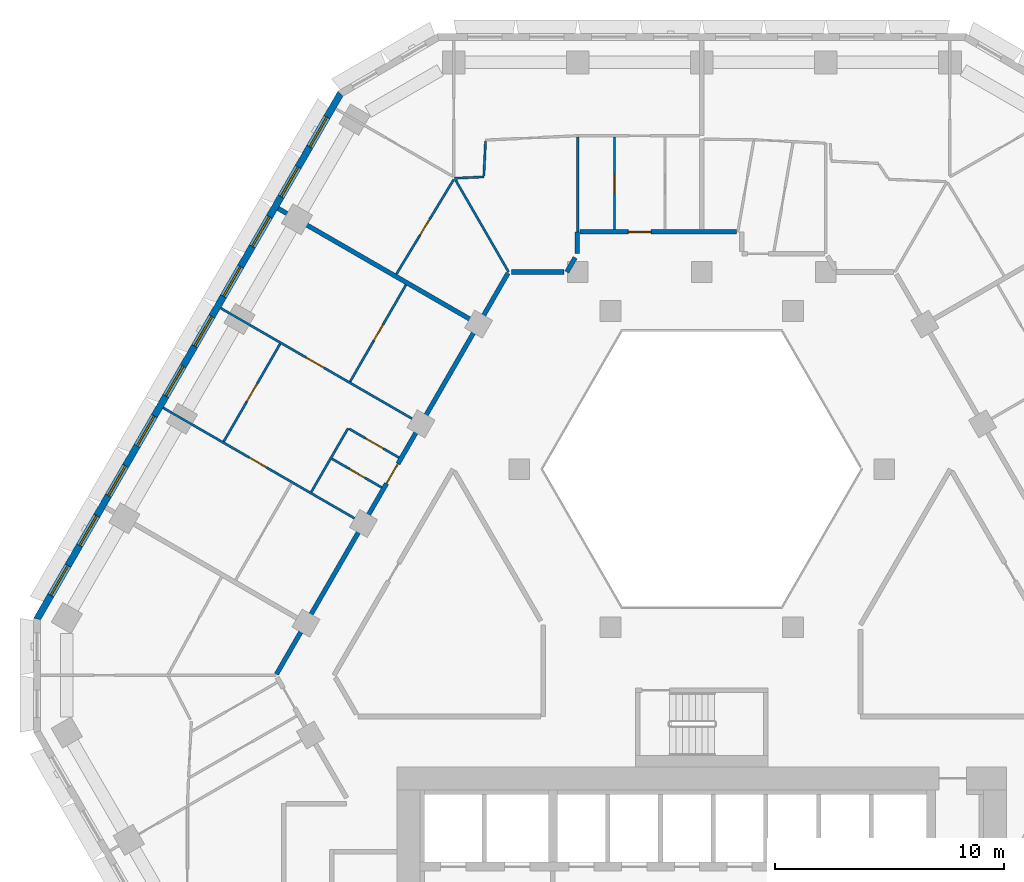
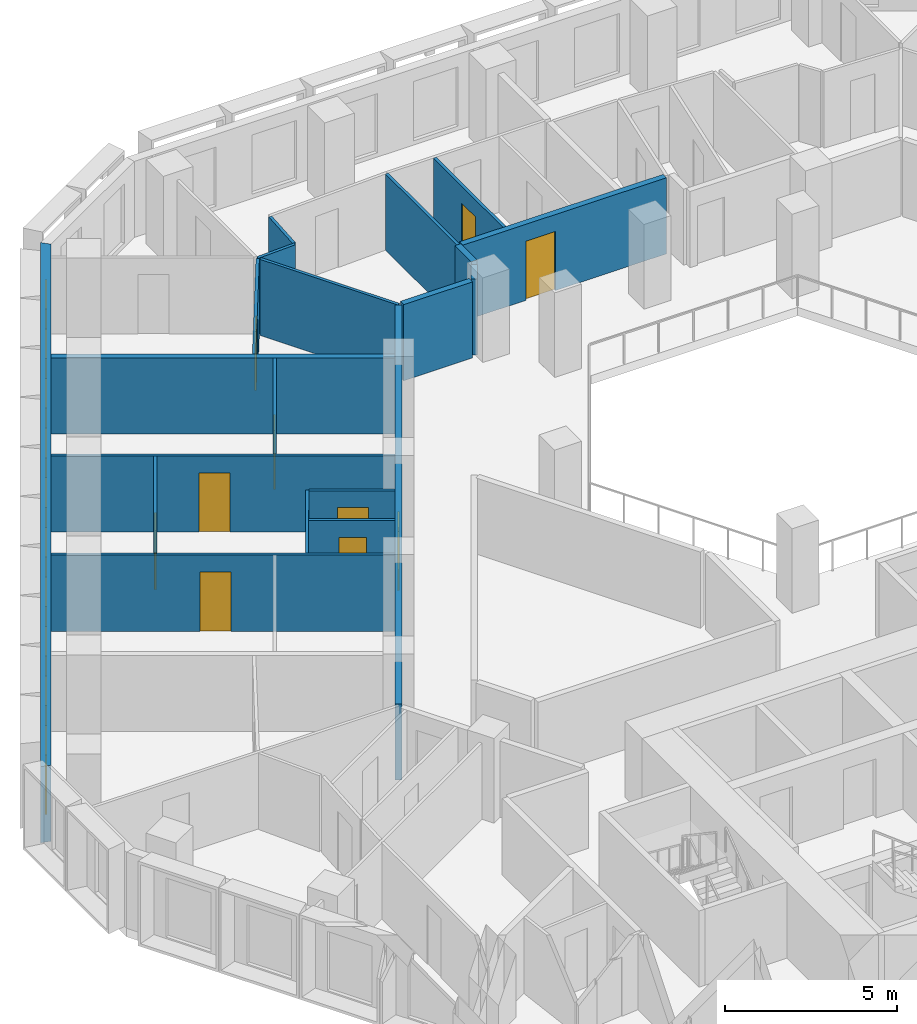
# One storey, part 8 of 18: 20 walls, 10 doors, 10 windows, 20 openings.
"""IFC4 building model written with IfcOpenShell, lengths in metres."""

import ifcopenshell
import ifcopenshell.guid

model = None  # the IFC model being written
_history = None  # IfcOwnerHistory: only IFC2X3 demands one
_inside = {}  # id of a spatial element -> (the spatial element, [elements in it])
_under = {}  # id of a project, library or spatial element -> (it, [spatial elements below it])
_declared = {}  # id of a project -> (the project, [libraries it declares])
_typed = {}  # id of a type object -> (the type object, [elements of that type])
_made_of = {}  # id of a material, layer set ... -> (it, [elements and type objects made of it])


def new_model(schema):
    """Start an empty IFC model of exactly this schema.

    Asked for "IFC4X3", IfcOpenShell would pick the latest addendum, in which some entities
    have other attributes; the version numbers below select the first issue.
    IFC2X3 requires an IfcOwnerHistory on every rooted entity: one is made here for all.
    """
    global model, _history
    if schema == "IFC4X3":
        model = ifcopenshell.file(schema_version=(4, 3, 0, 0))
    else:
        model = ifcopenshell.file(schema=schema)
    _inside.clear()
    _under.clear()
    _declared.clear()
    _typed.clear()
    _made_of.clear()
    _history = None
    if model.schema == "IFC2X3":
        org = make("IfcOrganization", Name="unknown")
        user = make(
            "IfcPersonAndOrganization",
            ThePerson=make("IfcPerson", FamilyName="unknown"),
            TheOrganization=org,
        )
        app = make(
            "IfcApplication",
            ApplicationDeveloper=org,
            Version="unknown",
            ApplicationFullName="unknown",
            ApplicationIdentifier="unknown",
        )
        _history = make(
            "IfcOwnerHistory",
            OwningUser=user,
            OwningApplication=app,
            ChangeAction="ADDED",
            CreationDate=0,
        )
    return model


def make(cls, **values):
    """One entity of the class cls with the attributes given. An attribute that is None is left unset."""
    return model.create_entity(
        cls, **{name: value for name, value in values.items() if value is not None}
    )


def rooted(cls, **values):
    """An entity with a GlobalId (a new one), such as an element, a storey or a relation."""
    return make(cls, GlobalId=ifcopenshell.guid.new(), OwnerHistory=_history, **values)


def si_unit(unit_type, name, prefix=None):
    """IfcSIUnit, for example si_unit("LENGTHUNIT", "METRE", prefix="MILLI")."""
    return make("IfcSIUnit", UnitType=unit_type, Prefix=prefix, Name=name)


def assignment(units):
    """IfcUnitAssignment: the units of a project."""
    return None if units is None else make("IfcUnitAssignment", Units=units)


def point(xyz):
    """IfcCartesianPoint."""
    return None if xyz is None else make("IfcCartesianPoint", Coordinates=xyz)


def direction(xyz):
    """IfcDirection."""
    return None if xyz is None else make("IfcDirection", DirectionRatios=xyz)


def frame(location, z_axis=None, x_axis=None):
    """IfcAxis2Placement3D, a coordinate frame: its origin and axes. An axis left out is left unset."""
    return make(
        "IfcAxis2Placement3D",
        Location=point(location),
        Axis=direction(z_axis),
        RefDirection=direction(x_axis),
    )


def frame_2d(location, x_axis=None):
    """IfcAxis2Placement2D, a coordinate frame in the plane: its origin and x axis."""
    return make(
        "IfcAxis2Placement2D", Location=point(location), RefDirection=direction(x_axis)
    )


def origin():
    """The frame at (0, 0, 0) with its axes left unset."""
    return frame((0.0, 0.0, 0.0))


def place(relative_to, where):
    """IfcLocalPlacement: puts the frame where relative to a parent placement (None: the world)."""
    return make(
        "IfcLocalPlacement", PlacementRelTo=relative_to, RelativePlacement=where
    )


def context(
    kind, dimensions, precision=None, world=None, true_north=None, identifier=None
):
    """IfcGeometricRepresentationContext, for example the 3D "Model" context."""
    return make(
        "IfcGeometricRepresentationContext",
        ContextIdentifier=identifier,
        ContextType=kind,
        CoordinateSpaceDimension=dimensions,
        Precision=precision,
        WorldCoordinateSystem=world,
        TrueNorth=true_north,
    )


def subcontext(parent, identifier, kind, view, scale=None):
    """IfcGeometricRepresentationSubContext, for example "Body" below "Model"."""
    return make(
        "IfcGeometricRepresentationSubContext",
        ContextIdentifier=identifier,
        ContextType=kind,
        ParentContext=parent,
        TargetScale=scale,
        TargetView=view,
    )


def project(units=None, contexts=None):
    """IfcProject with its units and contexts."""
    return rooted(
        "IfcProject",
        Name="project",
        RepresentationContexts=contexts,
        UnitsInContext=assignment(units),
    )


def spatial(cls, under=None, at=None, **own):
    """A site, building, storey or space (cls), placed at a placement, below another one or the project."""
    s = rooted(cls, ObjectPlacement=at, **own)
    if under is not None:
        _under.setdefault(under.id(), (under, []))[1].append(s)
    return s


def polyline(points):
    """IfcPolyline through the points."""
    return make("IfcPolyline", Points=[point(p) for p in points])


def profile(cls, at=None, kind="AREA", **sizes):
    """A parametric profile (cls). Its sizes go by their IFC names, for example OverallWidth=200.0."""
    return make(cls, ProfileType=kind, Position=at, **sizes)


def rectangle(**sizes):
    """IfcRectangleProfileDef."""
    return profile("IfcRectangleProfileDef", **sizes)


def outline(outer, holes=None, kind="AREA"):
    """IfcArbitraryClosedProfileDef: a profile drawn as a closed curve; with holes, ...WithVoids."""
    if holes is None:
        return make("IfcArbitraryClosedProfileDef", ProfileType=kind, OuterCurve=outer)
    return make(
        "IfcArbitraryProfileDefWithVoids",
        ProfileType=kind,
        OuterCurve=outer,
        InnerCurves=holes,
    )


def extrude(swept, where, along, depth):
    """IfcExtrudedAreaSolid: the profile swept, set in the frame where, extruded along a direction by depth."""
    return make(
        "IfcExtrudedAreaSolid",
        SweptArea=swept,
        Position=where,
        ExtrudedDirection=direction(along),
        Depth=depth,
    )


def shape(context_of_items, identifier, shape_type, items):
    """IfcShapeRepresentation: the items that make up one representation, for example the "Body"."""
    return make(
        "IfcShapeRepresentation",
        ContextOfItems=context_of_items,
        RepresentationIdentifier=identifier,
        RepresentationType=shape_type,
        Items=items,
    )


def material(Name=None, Category=None):
    """IfcMaterial."""
    return make("IfcMaterial", Name=Name, Category=Category)


def layer(
    of_material, thickness, ventilated=None, Name=None, Category=None, Priority=None
):
    """IfcMaterialLayer: one layer of a wall or slab, of a material (None: an air gap)."""
    return make(
        "IfcMaterialLayer",
        Material=of_material,
        LayerThickness=thickness,
        IsVentilated=ventilated,
        Name=Name,
        Category=Category,
        Priority=Priority,
    )


def layer_set(layers, Name=None):
    """IfcMaterialLayerSet."""
    return make("IfcMaterialLayerSet", MaterialLayers=layers, LayerSetName=Name)


def made_of(thing, what):
    """Note that an element or type object is made of a material, layer set ...; save() writes the relation."""
    if what is not None:
        _made_of.setdefault(what.id(), (what, []))[1].append(thing)
    return thing


def type_object(cls, material=None, **own):
    """A type object (cls), such as IfcWallType, which elements share."""
    return made_of(rooted(cls, **own), material)


def element(
    cls,
    number,
    at=None,
    inside=None,
    cuts=None,
    type_object=None,
    material=None,
    context=None,
    identifier="Body",
    shape_type=None,
    held_by="IfcProductDefinitionShape",
    body=None,
    shapes=None,
    **own,
):
    """One element of the class cls, such as IfcWall. Its Tag is "e" and its number.

    at: its placement. inside: the storey or other place that contains it. cuts: it is an
    opening in that element (IfcRelVoidsElement). A single representation is given by context,
    identifier, shape_type and body (its items); several are given by shapes. held_by: the class
    of the entity that holds the representations. save() writes the other relations.
    """
    e = rooted(cls, Tag="e%d" % number, ObjectPlacement=at, **own)
    if body is not None:
        shapes = [shape(context, identifier, shape_type, body)]
    if shapes is not None:
        e.Representation = make(held_by, Representations=shapes)
    if inside is not None:
        _inside.setdefault(inside.id(), (inside, []))[1].append(e)
    if cuts is not None:
        rooted(
            "IfcRelVoidsElement", RelatingBuildingElement=cuts, RelatedOpeningElement=e
        )
    if type_object is not None:
        _typed.setdefault(type_object.id(), (type_object, []))[1].append(e)
    return made_of(e, material)


def fill(opening, filler):
    """IfcRelFillsElement: the door or window that sits in an opening."""
    return rooted(
        "IfcRelFillsElement",
        RelatingOpeningElement=opening,
        RelatedBuildingElement=filler,
    )


def aggregate(whole, parts):
    """IfcRelAggregates: a whole, such as a stair, and the parts it consists of."""
    return rooted("IfcRelAggregates", RelatingObject=whole, RelatedObjects=parts)


def save(model, path):
    """Write the relations noted so far, then the file.

    IfcRelAggregates (storeys below a building ...), IfcRelContainedInSpatialStructure (elements
    in a storey), IfcRelDefinesByType, IfcRelAssociatesMaterial and IfcRelDeclares: one each for
    every whole, place, type object, material and project.
    """
    for whole, parts in _under.values():
        aggregate(whole, parts)
    for where, things in _inside.values():
        rooted(
            "IfcRelContainedInSpatialStructure",
            RelatedElements=things,
            RelatingStructure=where,
        )
    for kind, things in _typed.values():
        rooted("IfcRelDefinesByType", RelatedObjects=things, RelatingType=kind)
    for what, things in _made_of.values():
        rooted("IfcRelAssociatesMaterial", RelatedObjects=things, RelatingMaterial=what)
    for by, libraries in _declared.values():
        rooted("IfcRelDeclares", RelatingContext=by, RelatedDefinitions=libraries)
    model.write(path)


model = new_model("IFC4")

# Units and contexts
model_context = context("Model", 3, precision=1e-05, world=origin(), true_north=direction((0.0, 1.0)))
body_context = subcontext(model_context, "Body", "Model", "MODEL_VIEW")
ifc_project = project(units=[si_unit("LENGTHUNIT", "METRE"), si_unit("AREAUNIT", "SQUARE_METRE"), si_unit("VOLUMEUNIT", "CUBIC_METRE"), si_unit("PLANEANGLEUNIT", "RADIAN"), si_unit("MASSUNIT", "GRAM", prefix="KILO")], contexts=[model_context])

# Site, building, storey
site_placement = place(None, origin())
site = spatial("IfcSite", under=ifc_project, at=site_placement, CompositionType="ELEMENT")
building_placement = place(site_placement, origin())
building = spatial("IfcBuilding", under=site, at=building_placement, Name="Beryl Residences", CompositionType="ELEMENT")
storey_placement = place(building_placement, frame((0.0, 0.0, 81.0)))
storey = spatial("IfcBuildingStorey", under=building, at=storey_placement, Name="L24", CompositionType="ELEMENT", Elevation=81.0)

# Wall, openings, windows
ifc_material_1 = material(Name="Composite metal panel with mineral wool insulation")
ifc_layer_1 = layer(ifc_material_1, 0.300048828125)
ifc_layer_set_1 = layer_set([ifc_layer_1], Name="ES1 pale metal composite panel wall 300 mm")
wall_type_1 = type_object("IfcWallType", Name="ES1 pale metal composite panel wall 300 mm", PredefinedType="SOLIDWALL", material=ifc_layer_set_1)
wall_1_placement = place(storey_placement, frame((-15.7470703125, 24.425048828125, 0.0), z_axis=(0.0, 0.0, 1.0), x_axis=(-0.500027479704, -0.866009537788, 0.0)))
wall_1 = element("IfcWall", 1, at=wall_1_placement, inside=storey, type_object=wall_type_1, Name="ES1 external wall L24 NW", PredefinedType="SOLIDWALL", context=body_context, shape_type="SweptSolid", body=[
    extrude(outline(polyline([(0.0, -0.14990234375), (26.55859375, -0.14990234375), (26.478271484375, 0.14990234375), (0.080322265625, 0.14990234375), (0.0, -0.14990234375)])), origin(), (0.0, 0.0, 1.0), 2.699951171875),
])
opening_1_placement = place(wall_1_placement, frame((1.22705078125, 0.0, 0.14990234375)))
opening_1 = element("IfcOpeningElement", 2, at=opening_1_placement, cuts=wall_1, Name="Opening W1", PredefinedType="OPENING", context=body_context, shape_type="SweptSolid", body=[
    extrude(rectangle(XDim=1.5, YDim=2.10009765625, at=frame_2d((0.75, 1.050048828125))), frame((0.0, 0.159912109375, 0.0), z_axis=(0.0, -1.0, 0.0), x_axis=(1.0, 0.0, 0.0)), (0.0, 0.0, 1.0), 0.320068359375),
])
opening_2_placement = place(wall_1_placement, frame((3.739013671875, 0.0, 0.14990234375)))
opening_2 = element("IfcOpeningElement", 3, at=opening_2_placement, cuts=wall_1, Name="Opening W1", PredefinedType="OPENING", context=body_context, shape_type="SweptSolid", body=[
    extrude(rectangle(XDim=1.5, YDim=2.10009765625, at=frame_2d((0.75, 1.050048828125))), frame((0.0, 0.159912109375, 0.0), z_axis=(0.0, -1.0, 0.0), x_axis=(1.0, 0.0, 0.0)), (0.0, 0.0, 1.0), 0.320068359375),
])
opening_3_placement = place(wall_1_placement, frame((6.25, 0.0, 0.14990234375)))
opening_3 = element("IfcOpeningElement", 4, at=opening_3_placement, cuts=wall_1, Name="Opening W1", PredefinedType="OPENING", context=body_context, shape_type="SweptSolid", body=[
    extrude(rectangle(XDim=1.5, YDim=2.10009765625, at=frame_2d((0.75, 1.050048828125))), frame((0.0, 0.159912109375, 0.0), z_axis=(0.0, -1.0, 0.0), x_axis=(1.0, 0.0, 0.0)), (0.0, 0.0, 1.0), 0.320068359375),
])
opening_4_placement = place(wall_1_placement, frame((8.760986328125, 0.0, 0.14990234375)))
opening_4 = element("IfcOpeningElement", 5, at=opening_4_placement, cuts=wall_1, Name="Opening W1", PredefinedType="OPENING", context=body_context, shape_type="SweptSolid", body=[
    extrude(rectangle(XDim=1.5, YDim=2.10009765625, at=frame_2d((0.75, 1.050048828125))), frame((0.0, 0.159912109375, 0.0), z_axis=(0.0, -1.0, 0.0), x_axis=(1.0, 0.0, 0.0)), (0.0, 0.0, 1.0), 0.320068359375),
])
opening_5_placement = place(wall_1_placement, frame((11.27294921875, 0.0, 0.14990234375)))
opening_5 = element("IfcOpeningElement", 6, at=opening_5_placement, cuts=wall_1, Name="Opening W1", PredefinedType="OPENING", context=body_context, shape_type="SweptSolid", body=[
    extrude(rectangle(XDim=1.5, YDim=2.10009765625, at=frame_2d((0.75, 1.050048828125))), frame((0.0, 0.159912109375, 0.0), z_axis=(0.0, -1.0, 0.0), x_axis=(1.0, 0.0, 0.0)), (0.0, 0.0, 1.0), 0.320068359375),
])
opening_6_placement = place(wall_1_placement, frame((13.784912109375, 0.0, 0.14990234375)))
opening_6 = element("IfcOpeningElement", 7, at=opening_6_placement, cuts=wall_1, Name="Opening W1", PredefinedType="OPENING", context=body_context, shape_type="SweptSolid", body=[
    extrude(rectangle(XDim=1.5, YDim=2.10009765625, at=frame_2d((0.75, 1.050048828125))), frame((0.0, 0.159912109375, 0.0), z_axis=(0.0, -1.0, 0.0), x_axis=(1.0, 0.0, 0.0)), (0.0, 0.0, 1.0), 0.320068359375),
])
opening_7_placement = place(wall_1_placement, frame((16.2958984375, 0.0, 0.14990234375)))
opening_7 = element("IfcOpeningElement", 8, at=opening_7_placement, cuts=wall_1, Name="Opening W1", PredefinedType="OPENING", context=body_context, shape_type="SweptSolid", body=[
    extrude(rectangle(XDim=1.5, YDim=2.10009765625, at=frame_2d((0.75, 1.050048828125))), frame((0.0, 0.159912109375, 0.0), z_axis=(0.0, -1.0, 0.0), x_axis=(1.0, 0.0, 0.0)), (0.0, 0.0, 1.0), 0.320068359375),
])
opening_8_placement = place(wall_1_placement, frame((18.806884765625, 0.0, 0.14990234375)))
opening_8 = element("IfcOpeningElement", 9, at=opening_8_placement, cuts=wall_1, Name="Opening W1", PredefinedType="OPENING", context=body_context, shape_type="SweptSolid", body=[
    extrude(rectangle(XDim=1.5, YDim=2.10009765625, at=frame_2d((0.75, 1.050048828125))), frame((0.0, 0.159912109375, 0.0), z_axis=(0.0, -1.0, 0.0), x_axis=(1.0, 0.0, 0.0)), (0.0, 0.0, 1.0), 0.320068359375),
])
opening_9_placement = place(wall_1_placement, frame((21.319091796875, 0.0, 0.14990234375)))
opening_9 = element("IfcOpeningElement", 10, at=opening_9_placement, cuts=wall_1, Name="Opening W1", PredefinedType="OPENING", context=body_context, shape_type="SweptSolid", body=[
    extrude(rectangle(XDim=1.5, YDim=2.10009765625, at=frame_2d((0.75, 1.050048828125))), frame((0.0, 0.159912109375, 0.0), z_axis=(0.0, -1.0, 0.0), x_axis=(1.0, 0.0, 0.0)), (0.0, 0.0, 1.0), 0.320068359375),
])
opening_10_placement = place(wall_1_placement, frame((23.8310546875, 0.0, 0.14990234375)))
opening_10 = element("IfcOpeningElement", 11, at=opening_10_placement, cuts=wall_1, Name="Opening W1", PredefinedType="OPENING", context=body_context, shape_type="SweptSolid", body=[
    extrude(rectangle(XDim=1.5, YDim=2.10009765625, at=frame_2d((0.75, 1.050048828125))), frame((0.0, 0.159912109375, 0.0), z_axis=(0.0, -1.0, 0.0), x_axis=(1.0, 0.0, 0.0)), (0.0, 0.0, 1.0), 0.320068359375),
])
ifc_material_2 = material(Name="Aluminium and clear glass", Category="aluminium")
window_type = type_object("IfcWindowType", Name="W1 cell window 1500 x 2100 mm", PartitioningType="SINGLE_PANEL", PredefinedType="WINDOW", material=ifc_material_2)
window_1_placement = place(opening_1_placement, origin())
window_1 = element("IfcWindow", 12, at=window_1_placement, inside=storey, type_object=window_type, Name="W1 window L24 NW 1", OverallHeight=2.10009765625, OverallWidth=1.5, PartitioningType="SINGLE_PANEL", PredefinedType="WINDOW", context=body_context, shape_type="SweptSolid", body=[
    extrude(rectangle(XDim=1.5, YDim=2.10009765625, at=frame_2d((0.75, 1.050048828125))), frame((0.0, 0.030029296875, 0.0), z_axis=(0.0, -1.0, 0.0), x_axis=(1.0, 0.0, 0.0)), (0.0, 0.0, 1.0), 0.06005859375),
])
fill(opening_1, window_1)
window_2_placement = place(opening_2_placement, origin())
window_2 = element("IfcWindow", 13, at=window_2_placement, inside=storey, type_object=window_type, Name="W1 window L24 NW 2", OverallHeight=2.10009765625, OverallWidth=1.5, PartitioningType="SINGLE_PANEL", PredefinedType="WINDOW", context=body_context, shape_type="SweptSolid", body=[
    extrude(rectangle(XDim=1.5, YDim=2.10009765625, at=frame_2d((0.75, 1.050048828125))), frame((0.0, 0.030029296875, 0.0), z_axis=(0.0, -1.0, 0.0), x_axis=(1.0, 0.0, 0.0)), (0.0, 0.0, 1.0), 0.06005859375),
])
fill(opening_2, window_2)
window_3_placement = place(opening_3_placement, origin())
window_3 = element("IfcWindow", 14, at=window_3_placement, inside=storey, type_object=window_type, Name="W1 window L24 NW 3", OverallHeight=2.10009765625, OverallWidth=1.5, PartitioningType="SINGLE_PANEL", PredefinedType="WINDOW", context=body_context, shape_type="SweptSolid", body=[
    extrude(rectangle(XDim=1.5, YDim=2.10009765625, at=frame_2d((0.75, 1.050048828125))), frame((0.0, 0.030029296875, 0.0), z_axis=(0.0, -1.0, 0.0), x_axis=(1.0, 0.0, 0.0)), (0.0, 0.0, 1.0), 0.06005859375),
])
fill(opening_3, window_3)
window_4_placement = place(opening_4_placement, origin())
window_4 = element("IfcWindow", 15, at=window_4_placement, inside=storey, type_object=window_type, Name="W1 window L24 NW 4", OverallHeight=2.10009765625, OverallWidth=1.5, PartitioningType="SINGLE_PANEL", PredefinedType="WINDOW", context=body_context, shape_type="SweptSolid", body=[
    extrude(rectangle(XDim=1.5, YDim=2.10009765625, at=frame_2d((0.75, 1.050048828125))), frame((0.0, 0.030029296875, 0.0), z_axis=(0.0, -1.0, 0.0), x_axis=(1.0, 0.0, 0.0)), (0.0, 0.0, 1.0), 0.06005859375),
])
fill(opening_4, window_4)
window_5_placement = place(opening_5_placement, origin())
window_5 = element("IfcWindow", 16, at=window_5_placement, inside=storey, type_object=window_type, Name="W1 window L24 NW 5", OverallHeight=2.10009765625, OverallWidth=1.5, PartitioningType="SINGLE_PANEL", PredefinedType="WINDOW", context=body_context, shape_type="SweptSolid", body=[
    extrude(rectangle(XDim=1.5, YDim=2.10009765625, at=frame_2d((0.75, 1.050048828125))), frame((0.0, 0.030029296875, 0.0), z_axis=(0.0, -1.0, 0.0), x_axis=(1.0, 0.0, 0.0)), (0.0, 0.0, 1.0), 0.06005859375),
])
fill(opening_5, window_5)
window_6_placement = place(opening_6_placement, origin())
window_6 = element("IfcWindow", 17, at=window_6_placement, inside=storey, type_object=window_type, Name="W1 window L24 NW 6", OverallHeight=2.10009765625, OverallWidth=1.5, PartitioningType="SINGLE_PANEL", PredefinedType="WINDOW", context=body_context, shape_type="SweptSolid", body=[
    extrude(rectangle(XDim=1.5, YDim=2.10009765625, at=frame_2d((0.75, 1.050048828125))), frame((0.0, 0.030029296875, 0.0), z_axis=(0.0, -1.0, 0.0), x_axis=(1.0, 0.0, 0.0)), (0.0, 0.0, 1.0), 0.06005859375),
])
fill(opening_6, window_6)
window_7_placement = place(opening_7_placement, origin())
window_7 = element("IfcWindow", 18, at=window_7_placement, inside=storey, type_object=window_type, Name="W1 window L24 NW 7", OverallHeight=2.10009765625, OverallWidth=1.5, PartitioningType="SINGLE_PANEL", PredefinedType="WINDOW", context=body_context, shape_type="SweptSolid", body=[
    extrude(rectangle(XDim=1.5, YDim=2.10009765625, at=frame_2d((0.75, 1.050048828125))), frame((0.0, 0.030029296875, 0.0), z_axis=(0.0, -1.0, 0.0), x_axis=(1.0, 0.0, 0.0)), (0.0, 0.0, 1.0), 0.06005859375),
])
fill(opening_7, window_7)
window_8_placement = place(opening_8_placement, origin())
window_8 = element("IfcWindow", 19, at=window_8_placement, inside=storey, type_object=window_type, Name="W1 window L24 NW 8", OverallHeight=2.10009765625, OverallWidth=1.5, PartitioningType="SINGLE_PANEL", PredefinedType="WINDOW", context=body_context, shape_type="SweptSolid", body=[
    extrude(rectangle(XDim=1.5, YDim=2.10009765625, at=frame_2d((0.75, 1.050048828125))), frame((0.0, 0.030029296875, 0.0), z_axis=(0.0, -1.0, 0.0), x_axis=(1.0, 0.0, 0.0)), (0.0, 0.0, 1.0), 0.06005859375),
])
fill(opening_8, window_8)
window_9_placement = place(opening_9_placement, origin())
window_9 = element("IfcWindow", 20, at=window_9_placement, inside=storey, type_object=window_type, Name="W1 window L24 NW 9", OverallHeight=2.10009765625, OverallWidth=1.5, PartitioningType="SINGLE_PANEL", PredefinedType="WINDOW", context=body_context, shape_type="SweptSolid", body=[
    extrude(rectangle(XDim=1.5, YDim=2.10009765625, at=frame_2d((0.75, 1.050048828125))), frame((0.0, 0.030029296875, 0.0), z_axis=(0.0, -1.0, 0.0), x_axis=(1.0, 0.0, 0.0)), (0.0, 0.0, 1.0), 0.06005859375),
])
fill(opening_9, window_9)
window_10_placement = place(opening_10_placement, origin())
window_10 = element("IfcWindow", 21, at=window_10_placement, inside=storey, type_object=window_type, Name="W1 window L24 NW 10", OverallHeight=2.10009765625, OverallWidth=1.5, PartitioningType="SINGLE_PANEL", PredefinedType="WINDOW", context=body_context, shape_type="SweptSolid", body=[
    extrude(rectangle(XDim=1.5, YDim=2.10009765625, at=frame_2d((0.75, 1.050048828125))), frame((0.0, 0.030029296875, 0.0), z_axis=(0.0, -1.0, 0.0), x_axis=(1.0, 0.0, 0.0)), (0.0, 0.0, 1.0), 0.06005859375),
])
fill(opening_10, window_10)

# Wall
ifc_material_3 = material(Name="Gypsum board partition on steel studs", Category="steel")
ifc_layer_2 = layer(ifc_material_3, 0.10009765625)
ifc_layer_set_2 = layer_set([ifc_layer_2], Name="PT1 partition 100 mm gypsum board on steel studs")
wall_type_2 = type_object("IfcWallType", Name="PT1 partition 100 mm gypsum board on steel studs", PredefinedType="PARTITIONING", material=ifc_layer_set_2)
wall_2_placement = place(storey_placement, frame((-10.741943359375, 20.60595703125, 0.0), z_axis=(0.0, 0.0, 1.0), x_axis=(0.50003312339, -0.866006279142, 0.0)))
element("IfcWall", 22, at=wall_2_placement, inside=storey, type_object=wall_type_2, Name="Wall PT1 L24 005", PredefinedType="PARTITIONING", context=body_context, shape_type="SweptSolid", body=[
    extrude(rectangle(XDim=4.625732421875, YDim=0.10009765625, at=frame_2d((2.31298828125, 0.0))), origin(), (0.0, 0.0, 1.0), 2.699951171875),
])

# Wall, opening, door
wall_3_placement = place(storey_placement, frame((-16.14697265625, 8.451904296875, 0.0), z_axis=(0.0, 0.0, 1.0), x_axis=(0.866080321209, -0.499904868165, 0.0)))
wall_3 = element("IfcWall", 23, at=wall_3_placement, inside=storey, type_object=wall_type_2, Name="Wall PT1 L24 024", PredefinedType="PARTITIONING", context=body_context, shape_type="SweptSolid", body=[
    extrude(rectangle(XDim=2.51025390625, YDim=0.10009765625, at=frame_2d((1.255126953125, 0.0))), origin(), (0.0, 0.0, 1.0), 2.699951171875),
])
opening_11_placement = place(wall_3_placement, frame((0.8798828125, 0.0, 0.0)))
opening_11 = element("IfcOpeningElement", 24, at=opening_11_placement, cuts=wall_3, Name="Opening D0611", PredefinedType="OPENING", context=body_context, shape_type="SweptSolid", body=[
    extrude(rectangle(XDim=0.800048828125, YDim=2.10009765625, at=frame_2d((0.39990234375, 1.050048828125))), frame((0.0, 0.06005859375, 0.0), z_axis=(0.0, -1.0, 0.0), x_axis=(1.0, 0.0, 0.0)), (0.0, 0.0, 1.0), 0.1201171875),
])
ifc_material_4 = material(Name="Timber door leaf", Category="wood")
door_type_1 = type_object("IfcDoorType", Name="D3 bathroom door 800 x 2100 mm", OperationType="SINGLE_SWING_LEFT", PredefinedType="DOOR", material=ifc_material_4)
door_1_placement = place(opening_11_placement, origin())
door_1 = element("IfcDoor", 25, at=door_1_placement, inside=storey, type_object=door_type_1, Name="Door D0611 L24 001", OperationType="SINGLE_SWING_LEFT", OverallHeight=2.10009765625, OverallWidth=0.800048828125, PredefinedType="DOOR", context=body_context, shape_type="SweptSolid", body=[
    extrude(rectangle(XDim=0.800048828125, YDim=2.10009765625, at=frame_2d((0.39990234375, 1.050048828125))), frame((0.0, 0.02490234375, 0.0), z_axis=(0.0, -1.0, 0.0), x_axis=(1.0, 0.0, 0.0)), (0.0, 0.0, 1.0), 0.050048828125),
])
fill(opening_11, door_1)

wall_4_placement = place(storey_placement, frame((-23.512939453125, 10.675048828125, 0.0), z_axis=(0.0, 0.0, 1.0), x_axis=(0.866041268327, -0.499972520799, 0.0)))
wall_4 = element("IfcWall", 26, at=wall_4_placement, inside=storey, type_object=wall_type_2, Name="Wall PT1 L24 025", PredefinedType="PARTITIONING", context=body_context, shape_type="SweptSolid", body=[
    extrude(rectangle(XDim=10.00048828125, YDim=0.10009765625, at=frame_2d((5.000244140625, 0.0))), origin(), (0.0, 0.0, 1.0), 2.699951171875),
])
opening_12_placement = place(wall_4_placement, frame((4.324951171875, 0.0, 0.0)))
opening_12 = element("IfcOpeningElement", 27, at=opening_12_placement, cuts=wall_4, Name="Opening D0613", PredefinedType="OPENING", context=body_context, shape_type="SweptSolid", body=[
    extrude(rectangle(XDim=0.89990234375, YDim=2.10009765625, at=frame_2d((0.449951171875, 1.050048828125))), frame((0.0, 0.06005859375, 0.0), z_axis=(0.0, -1.0, 0.0), x_axis=(1.0, 0.0, 0.0)), (0.0, 0.0, 1.0), 0.1201171875),
])
ifc_material_5 = material(Name="Timber door leaf", Category="wood")
door_type_2 = type_object("IfcDoorType", Name="D2 room door 900 x 2100 mm", OperationType="SINGLE_SWING_LEFT", PredefinedType="DOOR", material=ifc_material_5)
door_2_placement = place(opening_12_placement, origin())
door_2 = element("IfcDoor", 28, at=door_2_placement, inside=storey, type_object=door_type_2, Name="Door D0613 L24 001", OperationType="SINGLE_SWING_LEFT", OverallHeight=2.10009765625, OverallWidth=0.89990234375, PredefinedType="DOOR", context=body_context, shape_type="SweptSolid", body=[
    extrude(rectangle(XDim=0.89990234375, YDim=2.10009765625, at=frame_2d((0.449951171875, 1.050048828125))), frame((0.0, 0.02490234375, 0.0), z_axis=(0.0, -1.0, 0.0), x_axis=(1.0, 0.0, 0.0)), (0.0, 0.0, 1.0), 0.050048828125),
])
fill(opening_12, door_2)

wall_5_placement = place(storey_placement, frame((-15.39306640625, 9.757080078125, 0.0), z_axis=(0.0, 0.0, 1.0), x_axis=(0.865940918122, -0.500146304917, 0.0)))
wall_5 = element("IfcWall", 29, at=wall_5_placement, inside=storey, type_object=wall_type_2, Name="Wall PT1 L24 027", PredefinedType="PARTITIONING", context=body_context, shape_type="SweptSolid", body=[
    extrude(rectangle(XDim=2.509521484375, YDim=0.10009765625, at=frame_2d((1.2548828125, 0.0))), origin(), (0.0, 0.0, 1.0), 2.699951171875),
])
opening_13_placement = place(wall_5_placement, frame((0.8291015625, 0.0, 0.0)))
opening_13 = element("IfcOpeningElement", 30, at=opening_13_placement, cuts=wall_5, Name="Opening D0610", PredefinedType="OPENING", context=body_context, shape_type="SweptSolid", body=[
    extrude(rectangle(XDim=0.89990234375, YDim=2.10009765625, at=frame_2d((0.449951171875, 1.050048828125))), frame((0.0, 0.06005859375, 0.0), z_axis=(0.0, -1.0, 0.0), x_axis=(1.0, 0.0, 0.0)), (0.0, 0.0, 1.0), 0.1201171875),
])
door_3_placement = place(opening_13_placement, origin())
door_3 = element("IfcDoor", 31, at=door_3_placement, inside=storey, type_object=door_type_2, Name="Door D0610 L24 001", OperationType="SINGLE_SWING_RIGHT", OverallHeight=2.10009765625, OverallWidth=0.89990234375, PredefinedType="DOOR", context=body_context, shape_type="SweptSolid", body=[
    extrude(rectangle(XDim=0.89990234375, YDim=2.10009765625, at=frame_2d((0.449951171875, 1.050048828125))), frame((0.0, 0.02490234375, 0.0), z_axis=(0.0, -1.0, 0.0), x_axis=(1.0, 0.0, 0.0)), (0.0, 0.0, 1.0), 0.050048828125),
])
fill(opening_13, door_3)

wall_6_placement = place(storey_placement, frame((-21.0009765625, 15.02490234375, 0.0), z_axis=(0.0, 0.0, 1.0), x_axis=(0.866016855193, -0.500014806302, 0.0)))
wall_6 = element("IfcWall", 32, at=wall_6_placement, inside=storey, type_object=wall_type_2, Name="Wall PT1 L24 029", PredefinedType="PARTITIONING", context=body_context, shape_type="SweptSolid", body=[
    extrude(rectangle(XDim=9.999755859375, YDim=0.10009765625, at=frame_2d((5.0, 0.0))), origin(), (0.0, 0.0, 1.0), 2.699951171875),
])
opening_14_placement = place(wall_6_placement, frame((4.304931640625, 0.0, 0.0)))
opening_14 = element("IfcOpeningElement", 33, at=opening_14_placement, cuts=wall_6, Name="Opening D0614", PredefinedType="OPENING", context=body_context, shape_type="SweptSolid", body=[
    extrude(rectangle(XDim=0.89990234375, YDim=2.10009765625, at=frame_2d((0.449951171875, 1.050048828125))), frame((0.0, 0.06005859375, 0.0), z_axis=(0.0, -1.0, 0.0), x_axis=(1.0, 0.0, 0.0)), (0.0, 0.0, 1.0), 0.1201171875),
])
door_4_placement = place(opening_14_placement, origin())
door_4 = element("IfcDoor", 34, at=door_4_placement, inside=storey, type_object=door_type_2, Name="Door D0614 L24 001", OperationType="SINGLE_SWING_RIGHT", OverallHeight=2.10009765625, OverallWidth=0.89990234375, PredefinedType="DOOR", context=body_context, shape_type="SweptSolid", body=[
    extrude(rectangle(XDim=0.89990234375, YDim=2.10009765625, at=frame_2d((0.449951171875, 1.050048828125))), frame((0.0, 0.02490234375, 0.0), z_axis=(0.0, -1.0, 0.0), x_axis=(1.0, 0.0, 0.0)), (0.0, 0.0, 1.0), 0.050048828125),
])
fill(opening_14, door_4)

wall_7_placement = place(storey_placement, frame((-13.327880859375, 16.510986328125, 0.0), z_axis=(0.0, 0.0, 1.0), x_axis=(0.518570528669, 0.855034857065, 0.0)))
wall_7 = element("IfcWall", 35, at=wall_7_placement, inside=storey, type_object=wall_type_2, Name="Wall PT1 L24 037", PredefinedType="PARTITIONING", context=body_context, shape_type="SweptSolid", body=[
    extrude(rectangle(XDim=4.830322265625, YDim=0.10009765625, at=frame_2d((2.4150390625, 0.0))), origin(), (0.0, 0.0, 1.0), 2.699951171875),
])
opening_15_placement = place(wall_7_placement, frame((1.9951171875, 0.0, 0.0)))
opening_15 = element("IfcOpeningElement", 36, at=opening_15_placement, cuts=wall_7, Name="Opening D0608", PredefinedType="OPENING", context=body_context, shape_type="SweptSolid", body=[
    extrude(rectangle(XDim=0.800048828125, YDim=2.10009765625, at=frame_2d((0.39990234375, 1.050048828125))), frame((0.0, 0.06005859375, 0.0), z_axis=(0.0, -1.0, 0.0), x_axis=(1.0, 0.0, 0.0)), (0.0, 0.0, 1.0), 0.1201171875),
])
door_5_placement = place(opening_15_placement, origin())
door_5 = element("IfcDoor", 37, at=door_5_placement, inside=storey, type_object=door_type_1, Name="Door D0608 L24 001", OperationType="SINGLE_SWING_RIGHT", OverallHeight=2.10009765625, OverallWidth=0.800048828125, PredefinedType="DOOR", context=body_context, shape_type="SweptSolid", body=[
    extrude(rectangle(XDim=0.800048828125, YDim=2.10009765625, at=frame_2d((0.39990234375, 1.050048828125))), frame((0.0, 0.02490234375, 0.0), z_axis=(0.0, -1.0, 0.0), x_axis=(1.0, 0.0, 0.0)), (0.0, 0.0, 1.0), 0.050048828125),
])
fill(opening_15, door_5)

# Wall
wall_8_placement = place(storey_placement, frame((-17.0439453125, 6.9990234375, 0.0), z_axis=(0.0, 0.0, 1.0), x_axis=(0.500176309913, 0.865923587277, 0.0)))
element("IfcWall", 38, at=wall_8_placement, inside=storey, type_object=wall_type_2, Name="Wall PT1 L24 042", PredefinedType="PARTITIONING", context=body_context, shape_type="SweptSolid", body=[
    extrude(rectangle(XDim=3.212646484375, YDim=0.10009765625, at=frame_2d((1.6064453125, 0.0))), origin(), (0.0, 0.0, 1.0), 2.699951171875),
])

# Wall, opening, door
wall_9_placement = place(storey_placement, frame((-15.346923828125, 11.819091796875, 0.0), z_axis=(0.0, 0.0, 1.0), x_axis=(0.499943653708, 0.866057932887, 0.0)))
wall_9 = element("IfcWall", 39, at=wall_9_placement, inside=storey, type_object=wall_type_2, Name="Wall PT1 L24 044", PredefinedType="PARTITIONING", context=body_context, shape_type="SweptSolid", body=[
    extrude(rectangle(XDim=4.87255859375, YDim=0.10009765625, at=frame_2d((2.436279296875, 0.0))), origin(), (0.0, 0.0, 1.0), 2.699951171875),
])
opening_16_placement = place(wall_9_placement, frame((2.06201171875, 0.0, 0.0)))
opening_16 = element("IfcOpeningElement", 40, at=opening_16_placement, cuts=wall_9, Name="Opening D0615", PredefinedType="OPENING", context=body_context, shape_type="SweptSolid", body=[
    extrude(rectangle(XDim=0.800048828125, YDim=2.10009765625, at=frame_2d((0.39990234375, 1.050048828125))), frame((0.0, 0.06005859375, 0.0), z_axis=(0.0, -1.0, 0.0), x_axis=(1.0, 0.0, 0.0)), (0.0, 0.0, 1.0), 0.1201171875),
])
door_6_placement = place(opening_16_placement, origin())
door_6 = element("IfcDoor", 41, at=door_6_placement, inside=storey, type_object=door_type_1, Name="Door D0615 L24 001", OperationType="SINGLE_SWING_LEFT", OverallHeight=2.10009765625, OverallWidth=0.800048828125, PredefinedType="DOOR", context=body_context, shape_type="SweptSolid", body=[
    extrude(rectangle(XDim=0.800048828125, YDim=2.10009765625, at=frame_2d((0.39990234375, 1.050048828125))), frame((0.0, 0.02490234375, 0.0), z_axis=(0.0, -1.0, 0.0), x_axis=(1.0, 0.0, 0.0)), (0.0, 0.0, 1.0), 0.050048828125),
])
fill(opening_16, door_6)

wall_10_placement = place(storey_placement, frame((-20.864013671875, 9.202880859375, 0.0), z_axis=(0.0, 0.0, 1.0), x_axis=(0.500000007376, 0.866025399526, 0.0)))
wall_10 = element("IfcWall", 42, at=wall_10_placement, inside=storey, type_object=wall_type_2, Name="Wall PT1 L24 045", PredefinedType="PARTITIONING", context=body_context, shape_type="SweptSolid", body=[
    extrude(rectangle(XDim=4.923828125, YDim=0.10009765625, at=frame_2d((2.4619140625, 0.0))), origin(), (0.0, 0.0, 1.0), 2.699951171875),
])
opening_17_placement = place(wall_10_placement, frame((2.011962890625, 0.0, 0.0)))
opening_17 = element("IfcOpeningElement", 43, at=opening_17_placement, cuts=wall_10, Name="Opening D0612", PredefinedType="OPENING", context=body_context, shape_type="SweptSolid", body=[
    extrude(rectangle(XDim=0.89990234375, YDim=2.10009765625, at=frame_2d((0.449951171875, 1.050048828125))), frame((0.0, 0.06005859375, 0.0), z_axis=(0.0, -1.0, 0.0), x_axis=(1.0, 0.0, 0.0)), (0.0, 0.0, 1.0), 0.1201171875),
])
door_7_placement = place(opening_17_placement, origin())
door_7 = element("IfcDoor", 44, at=door_7_placement, inside=storey, type_object=door_type_2, Name="Door D0612 L24 001", OperationType="SINGLE_SWING_RIGHT", OverallHeight=2.10009765625, OverallWidth=0.89990234375, PredefinedType="DOOR", context=body_context, shape_type="SweptSolid", body=[
    extrude(rectangle(XDim=0.89990234375, YDim=2.10009765625, at=frame_2d((0.449951171875, 1.050048828125))), frame((0.0, 0.02490234375, 0.0), z_axis=(0.0, -1.0, 0.0), x_axis=(1.0, 0.0, 0.0)), (0.0, 0.0, 1.0), 0.050048828125),
])
fill(opening_17, door_7)

# Wall
wall_11_placement = place(storey_placement, frame((-9.511962890625, 20.802978515625, 0.0), z_axis=(0.0, 0.0, 1.0), x_axis=(0.049089165168, 0.998794400196, 0.0)))
element("IfcWall", 45, at=wall_11_placement, inside=storey, type_object=wall_type_2, Name="Wall PT1 L24 051", PredefinedType="PARTITIONING", context=body_context, shape_type="SweptSolid", body=[
    extrude(rectangle(XDim=1.5068359375, YDim=0.10009765625, at=frame_2d((0.75341796875, 0.0))), origin(), (0.0, 0.0, 1.0), 2.699951171875),
])

# Wall, opening, door
wall_12_placement = place(storey_placement, frame((-3.806884765625, 18.449951171875, 0.0), z_axis=(0.0, 0.0, 1.0), x_axis=(0.0, 1.0, 0.0)))
wall_12 = element("IfcWall", 46, at=wall_12_placement, inside=storey, type_object=wall_type_2, Name="Wall PT1 L24 060", PredefinedType="PARTITIONING", context=body_context, shape_type="SweptSolid", body=[
    extrude(rectangle(XDim=4.050048828125, YDim=0.10009765625, at=frame_2d((2.02490234375, 0.0))), origin(), (0.0, 0.0, 1.0), 2.699951171875),
])
opening_18_placement = place(wall_12_placement, frame((1.60009765625, 0.0, 0.0)))
opening_18 = element("IfcOpeningElement", 47, at=opening_18_placement, cuts=wall_12, Name="Opening D0602", PredefinedType="OPENING", context=body_context, shape_type="SweptSolid", body=[
    extrude(rectangle(XDim=0.800048828125, YDim=2.10009765625, at=frame_2d((0.39990234375, 1.050048828125))), frame((0.0, 0.06005859375, 0.0), z_axis=(0.0, -1.0, 0.0), x_axis=(1.0, 0.0, 0.0)), (0.0, 0.0, 1.0), 0.1201171875),
])
door_8_placement = place(opening_18_placement, origin())
door_8 = element("IfcDoor", 48, at=door_8_placement, inside=storey, type_object=door_type_1, Name="Door D0602 L24 001", OperationType="SINGLE_SWING_RIGHT", OverallHeight=2.10009765625, OverallWidth=0.800048828125, PredefinedType="DOOR", context=body_context, shape_type="SweptSolid", body=[
    extrude(rectangle(XDim=0.800048828125, YDim=2.10009765625, at=frame_2d((0.39990234375, 1.050048828125))), frame((0.0, 0.02490234375, 0.0), z_axis=(0.0, -1.0, 0.0), x_axis=(1.0, 0.0, 0.0)), (0.0, 0.0, 1.0), 0.050048828125),
])
fill(opening_18, door_8)

# Walls
wall_13_placement = place(storey_placement, frame((-5.4140625, 18.35009765625, 0.0), z_axis=(0.0, 0.0, 1.0), x_axis=(0.0, 1.0, 0.0)))
element("IfcWall", 49, at=wall_13_placement, inside=storey, type_object=wall_type_2, Name="Wall PT1 L24 061", PredefinedType="PARTITIONING", context=body_context, shape_type="SweptSolid", body=[
    extrude(rectangle(XDim=4.14990234375, YDim=0.10009765625, at=frame_2d((2.074951171875, 0.0))), origin(), (0.0, 0.0, 1.0), 2.699951171875),
])
wall_14_placement = place(storey_placement, frame((-10.7919921875, 20.69189453125, 0.0), z_axis=(0.0, 0.0, 1.0), x_axis=(0.998861653202, 0.04770112957, 0.0)))
element("IfcWall", 50, at=wall_14_placement, inside=storey, type_object=wall_type_2, Name="Wall PT1 L24 067", PredefinedType="PARTITIONING", context=body_context, shape_type="SweptSolid", body=[
    extrude(rectangle(XDim=1.279541015625, YDim=0.10009765625, at=frame_2d((0.6396484375, 0.0))), origin(), (0.0, 0.0, 1.0), 2.699951171875),
])
ifc_material_6 = material(Name="Acoustic double stud gypsum board wall")
ifc_layer_3 = layer(ifc_material_6, 0.199951171875)
ifc_layer_set_3 = layer_set([ifc_layer_3], Name="PT3 party wall 200 mm acoustic double stud")
wall_type_3 = type_object("IfcWallType", Name="PT3 party wall 200 mm acoustic double stud", PredefinedType="PARTITIONING", material=ifc_layer_set_3)
wall_15_placement = place(storey_placement, frame((-18.489013671875, 19.375, 0.0), z_axis=(0.0, 0.0, 1.0), x_axis=(0.866016855193, -0.500014806302, 0.0)))
element("IfcWall", 51, at=wall_15_placement, inside=storey, type_object=wall_type_3, Name="Wall PT3 L24 004", PredefinedType="PARTITIONING", context=body_context, shape_type="SweptSolid", body=[
    extrude(rectangle(XDim=9.999755859375, YDim=0.199951171875, at=frame_2d((5.0, 0.0))), origin(), (0.0, 0.0, 1.0), 2.699951171875),
])
ifc_material_7 = material(Name="Double stud gypsum board wall")
ifc_layer_4 = layer(ifc_material_7, 0.199951171875)
ifc_layer_set_4 = layer_set([ifc_layer_4], Name="PT4 corridor wall 200 mm double stud")
wall_type_4 = type_object("IfcWallType", Name="PT4 corridor wall 200 mm double stud", PredefinedType="PARTITIONING", material=ifc_layer_set_4)
wall_16_placement = place(storey_placement, frame((-8.31396484375, 16.60009765625, 0.0), z_axis=(0.0, 0.0, 1.0), x_axis=(1.0, 0.0, 0.0)))
element("IfcWall", 52, at=wall_16_placement, inside=storey, type_object=wall_type_4, Name="Wall PT4 L24 019", PredefinedType="PARTITIONING", context=body_context, shape_type="SweptSolid", body=[
    extrude(rectangle(XDim=2.30908203125, YDim=0.199951171875, at=frame_2d((1.154541015625, 0.0))), origin(), (0.0, 0.0, 1.0), 2.699951171875),
])

# Wall, opening, door
wall_17_placement = place(storey_placement, frame((-5.31396484375, 18.35009765625, 0.0), z_axis=(0.0, 0.0, 1.0), x_axis=(1.0, 0.0, 0.0)))
wall_17 = element("IfcWall", 53, at=wall_17_placement, inside=storey, type_object=wall_type_4, Name="Wall PT4 L24 022", PredefinedType="PARTITIONING", context=body_context, shape_type="SweptSolid", body=[
    extrude(rectangle(XDim=6.833984375, YDim=0.199951171875, at=frame_2d((3.4169921875, 0.0))), origin(), (0.0, 0.0, 1.0), 2.699951171875),
])
opening_19_placement = place(wall_17_placement, frame((2.10595703125, 0.0, 0.0)))
opening_19 = element("IfcOpeningElement", 54, at=opening_19_placement, cuts=wall_17, Name="Opening D0601", PredefinedType="OPENING", context=body_context, shape_type="SweptSolid", body=[
    extrude(rectangle(XDim=1.0, YDim=2.10009765625, at=frame_2d((0.5, 1.050048828125))), frame((0.0, 0.10986328125, 0.0), z_axis=(0.0, -1.0, 0.0), x_axis=(1.0, 0.0, 0.0)), (0.0, 0.0, 1.0), 0.219970703125),
])
ifc_material_8 = material(Name="Timber door leaf", Category="wood")
door_type_3 = type_object("IfcDoorType", Name="D1 flat entrance door 1000 x 2100 mm", OperationType="SINGLE_SWING_LEFT", PredefinedType="DOOR", material=ifc_material_8)
door_9_placement = place(opening_19_placement, origin())
door_9 = element("IfcDoor", 55, at=door_9_placement, inside=storey, type_object=door_type_3, Name="Door D0601 L24 001", OperationType="SINGLE_SWING_LEFT", OverallHeight=2.10009765625, OverallWidth=1.0, PredefinedType="DOOR", context=body_context, shape_type="SweptSolid", body=[
    extrude(rectangle(XDim=1.0, YDim=2.10009765625, at=frame_2d((0.5, 1.050048828125))), frame((0.0, 0.02490234375, 0.0), z_axis=(0.0, -1.0, 0.0), x_axis=(1.0, 0.0, 0.0)), (0.0, 0.0, 1.0), 0.050048828125),
])
fill(opening_19, door_9)

# Wall
wall_18_placement = place(storey_placement, frame((-5.888916015625, 16.60009765625, 0.0), z_axis=(0.0, 0.0, 1.0), x_axis=(0.499839240638, 0.866118198353, 0.0)))
element("IfcWall", 56, at=wall_18_placement, inside=storey, type_object=wall_type_4, Name="Wall PT4 L24 027", PredefinedType="PARTITIONING", context=body_context, shape_type="SweptSolid", body=[
    extrude(rectangle(XDim=0.723876953125, YDim=0.199951171875, at=frame_2d((0.36181640625, 0.0))), origin(), (0.0, 0.0, 1.0), 2.699951171875),
])

# Wall, opening, door
wall_19_placement = place(storey_placement, frame((-18.56201171875, -0.950927734375, 0.0), z_axis=(0.0, 0.0, 1.0), x_axis=(0.499992962407, 0.866029466902, 0.0)))
wall_19 = element("IfcWall", 57, at=wall_19_placement, inside=storey, type_object=wall_type_4, Name="Wall PT4 L24 028", PredefinedType="PARTITIONING", context=body_context, shape_type="SweptSolid", body=[
    extrude(rectangle(XDim=20.208251953125, YDim=0.199951171875, at=frame_2d((10.10400390625, 0.0))), origin(), (0.0, 0.0, 1.0), 2.699951171875),
])
opening_20_placement = place(wall_19_placement, frame((9.60400390625, 0.0, 0.0)))
opening_20 = element("IfcOpeningElement", 58, at=opening_20_placement, cuts=wall_19, Name="Opening D0609", PredefinedType="OPENING", context=body_context, shape_type="SweptSolid", body=[
    extrude(rectangle(XDim=1.0, YDim=2.10009765625, at=frame_2d((0.5, 1.050048828125))), frame((0.0, 0.10986328125, 0.0), z_axis=(0.0, -1.0, 0.0), x_axis=(1.0, 0.0, 0.0)), (0.0, 0.0, 1.0), 0.219970703125),
])
door_10_placement = place(opening_20_placement, origin())
door_10 = element("IfcDoor", 59, at=door_10_placement, inside=storey, type_object=door_type_3, Name="Door D0609 L24 001", OperationType="SINGLE_SWING_LEFT", OverallHeight=2.10009765625, OverallWidth=1.0, PredefinedType="DOOR", context=body_context, shape_type="SweptSolid", body=[
    extrude(rectangle(XDim=1.0, YDim=2.10009765625, at=frame_2d((0.5, 1.050048828125))), frame((0.0, 0.02490234375, 0.0), z_axis=(0.0, -1.0, 0.0), x_axis=(1.0, 0.0, 0.0)), (0.0, 0.0, 1.0), 0.050048828125),
])
fill(opening_20, door_10)

# Wall
wall_20_placement = place(storey_placement, frame((-5.427001953125, 17.39990234375, 0.0), z_axis=(0.0, 0.0, 1.0), x_axis=(0.0, 1.0, 0.0)))
element("IfcWall", 60, at=wall_20_placement, inside=storey, type_object=wall_type_4, Name="Wall PT4 L24 031", PredefinedType="PARTITIONING", context=body_context, shape_type="SweptSolid", body=[
    extrude(rectangle(XDim=0.9501953125, YDim=0.199951171875, at=frame_2d((0.47509765625, 0.0))), origin(), (0.0, 0.0, 1.0), 2.699951171875),
])

save(model, "model.ifc")
